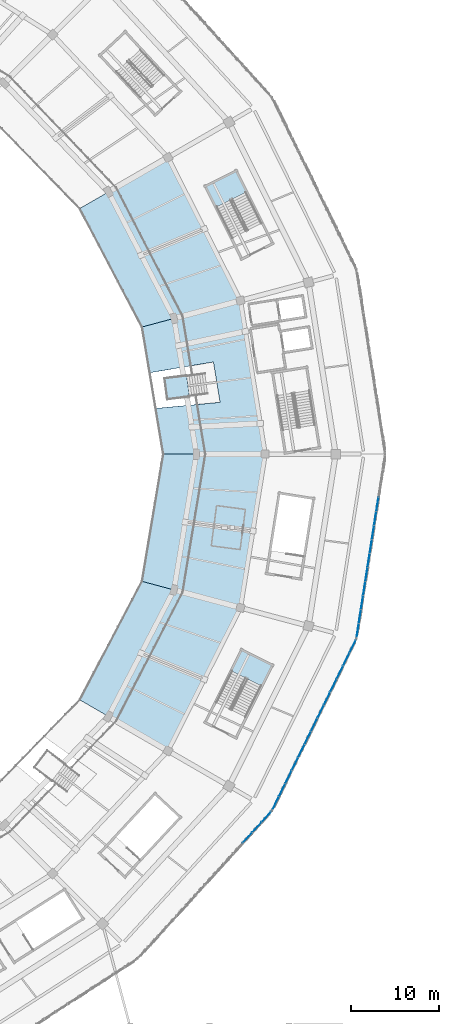
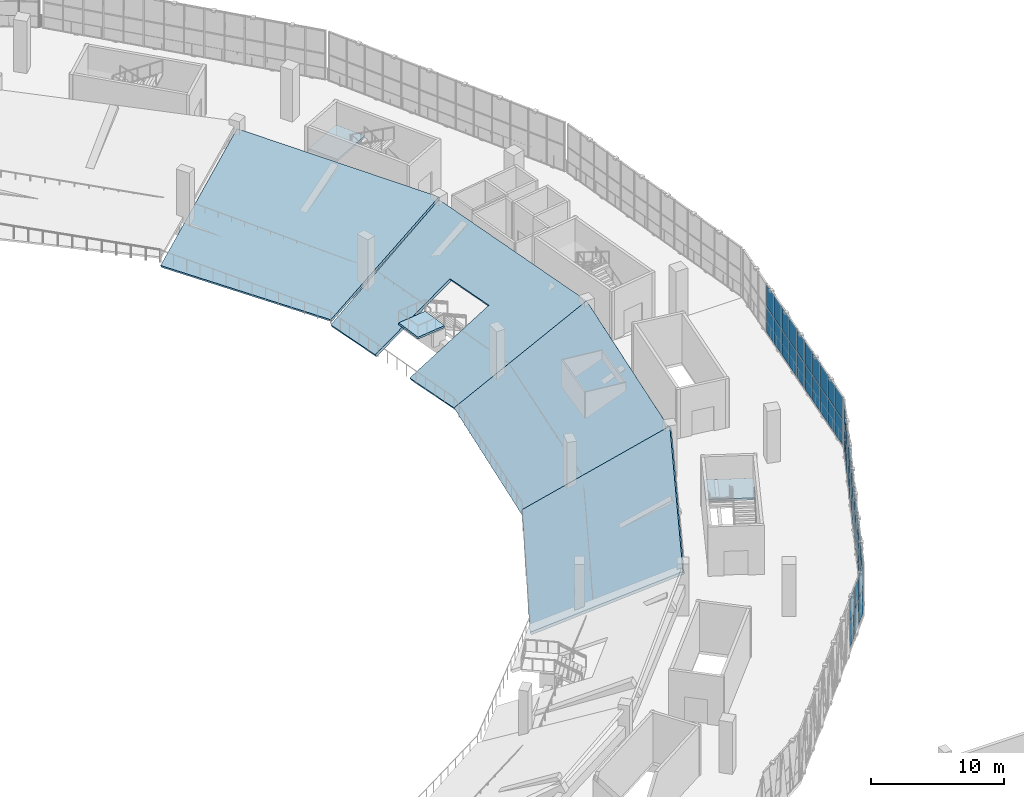
# One storey, part 80 of 152: 52 plates, 7 slabs, 6 elements without a shape of their own.
"""IFC4 building model written with IfcOpenShell, lengths in metres."""

from ifc_helpers import new_model, si_unit, direction, frame, origin, origin_2d, place, context, subcontext, project, spatial, polyline, rectangle, outline, extrude, material, layer, layer_set, type_object, element, aggregate, save


model = new_model("IFC4")

# Units and contexts
model_context = context("Model", 3, precision=1e-05, world=origin(), true_north=direction((0.0, 1.0)))
body_context = subcontext(model_context, "Body", "Model", "MODEL_VIEW")
ifc_project = project(units=[si_unit("LENGTHUNIT", "METRE"), si_unit("AREAUNIT", "SQUARE_METRE"), si_unit("VOLUMEUNIT", "CUBIC_METRE"), si_unit("PLANEANGLEUNIT", "RADIAN"), si_unit("MASSUNIT", "GRAM", prefix="KILO")], contexts=[model_context])

# Site, building, storey
site_placement = place(None, origin())
site = spatial("IfcSite", under=ifc_project, at=site_placement, CompositionType="ELEMENT")
building_placement = place(site_placement, origin())
building = spatial("IfcBuilding", under=site, at=building_placement, Name="Zevraka Park Crest Stadium", CompositionType="ELEMENT")
storey_placement = place(building_placement, frame((0.0, 0.0, 15.0)))
storey = spatial("IfcBuildingStorey", under=building, at=storey_placement, Name="L03", CompositionType="ELEMENT", Elevation=15.0)

# Curtain wall, plates
ifc_material_1 = material(Name="Anodised architectural aluminium and laminated safety glass", Category="aluminium")
curtain_wall_type_1 = type_object("IfcCurtainWallType", Name="CW11", PredefinedType="NOTDEFINED", material=ifc_material_1)
curtain_wall_1_placement = place(storey_placement, origin())
curtain_wall_1 = element("IfcCurtainWall", 1, at=curtain_wall_1_placement, inside=storey, type_object=curtain_wall_type_1, Name="Unitised Ring Curtain Wall CW11 L03-23", PredefinedType="NOTDEFINED")
ifc_material_2 = material(Name="Solar-control laminated double glazing", Category="glass")
ifc_layer_1 = layer(ifc_material_2, 0.028076171875)
ifc_layer_set_1 = layer_set([ifc_layer_1], Name="Solar-control laminated double glazing")
plate_type_1 = type_object("IfcPlateType", Name="CP11", PredefinedType="CURTAIN_PANEL", material=ifc_layer_set_1)
plate_1_placement = place(storey_placement, frame((204.798583984375, 71.998779296875, 0.06494140625), z_axis=(0.0, 0.0, 1.0), x_axis=(0.154127730222, 0.988050931267, 0.0)))
plate_1 = element("IfcPlate", 2, at=plate_1_placement, type_object=plate_type_1, Name="CW11 panel 1.1", PredefinedType="CURTAIN_PANEL", context=body_context, shape_type="SweptSolid", body=[
    extrude(rectangle(XDim=1.512939453125, YDim=0.028076171875, at=origin_2d()), origin(), (0.0, 0.0, 1.0), 2.302490234375),
])
plate_2_placement = place(storey_placement, frame((204.798583984375, 71.998779296875, 2.4326171875), z_axis=(0.0, 0.0, 1.0), x_axis=(0.154127730222, 0.988050931267, 0.0)))
plate_2 = element("IfcPlate", 3, at=plate_2_placement, type_object=plate_type_1, Name="CW11 panel 1.2", PredefinedType="CURTAIN_PANEL", context=body_context, shape_type="SweptSolid", body=[
    extrude(rectangle(XDim=1.512939453125, YDim=0.028076171875, at=origin_2d()), origin(), (0.0, 0.0, 1.0), 2.04248046875),
])
plate_3_placement = place(storey_placement, frame((205.04443359375, 73.573974609375, 0.06494140625), z_axis=(0.0, 0.0, 1.0), x_axis=(0.154127730222, 0.988050931267, 0.0)))
plate_3 = element("IfcPlate", 4, at=plate_3_placement, type_object=plate_type_1, Name="CW11 panel 2.1", PredefinedType="CURTAIN_PANEL", context=body_context, shape_type="SweptSolid", body=[
    extrude(rectangle(XDim=1.545654296875, YDim=0.028076171875, at=origin_2d()), origin(), (0.0, 0.0, 1.0), 2.302490234375),
])
plate_4_placement = place(storey_placement, frame((205.04443359375, 73.573974609375, 2.4326171875), z_axis=(0.0, 0.0, 1.0), x_axis=(0.154127730222, 0.988050931267, 0.0)))
plate_4 = element("IfcPlate", 5, at=plate_4_placement, type_object=plate_type_1, Name="CW11 panel 2.2", PredefinedType="CURTAIN_PANEL", context=body_context, shape_type="SweptSolid", body=[
    extrude(rectangle(XDim=1.545654296875, YDim=0.028076171875, at=origin_2d()), origin(), (0.0, 0.0, 1.0), 2.04248046875),
])
plate_5_placement = place(storey_placement, frame((205.29248046875, 75.165283203125, 0.06494140625), z_axis=(0.0, 0.0, 1.0), x_axis=(0.154127730222, 0.988050931267, 0.0)))
plate_5 = element("IfcPlate", 6, at=plate_5_placement, type_object=plate_type_1, Name="CW11 panel 3.1", PredefinedType="CURTAIN_PANEL", context=body_context, shape_type="SweptSolid", body=[
    extrude(rectangle(XDim=1.545654296875, YDim=0.028076171875, at=origin_2d()), origin(), (0.0, 0.0, 1.0), 2.302490234375),
])
plate_6_placement = place(storey_placement, frame((205.29248046875, 75.165283203125, 2.4326171875), z_axis=(0.0, 0.0, 1.0), x_axis=(0.154127730222, 0.988050931267, 0.0)))
plate_6 = element("IfcPlate", 7, at=plate_6_placement, type_object=plate_type_1, Name="CW11 panel 3.2", PredefinedType="CURTAIN_PANEL", context=body_context, shape_type="SweptSolid", body=[
    extrude(rectangle(XDim=1.545654296875, YDim=0.028076171875, at=origin_2d()), origin(), (0.0, 0.0, 1.0), 2.04248046875),
])
plate_7_placement = place(storey_placement, frame((205.540771484375, 76.756591796875, 0.06494140625), z_axis=(0.0, 0.0, 1.0), x_axis=(0.154127730222, 0.988050931267, 0.0)))
plate_7 = element("IfcPlate", 8, at=plate_7_placement, type_object=plate_type_1, Name="CW11 panel 4.1", PredefinedType="CURTAIN_PANEL", context=body_context, shape_type="SweptSolid", body=[
    extrude(rectangle(XDim=1.545654296875, YDim=0.028076171875, at=origin_2d()), origin(), (0.0, 0.0, 1.0), 2.302490234375),
])
plate_8_placement = place(storey_placement, frame((205.540771484375, 76.756591796875, 2.4326171875), z_axis=(0.0, 0.0, 1.0), x_axis=(0.154127730222, 0.988050931267, 0.0)))
plate_8 = element("IfcPlate", 9, at=plate_8_placement, type_object=plate_type_1, Name="CW11 panel 4.2", PredefinedType="CURTAIN_PANEL", context=body_context, shape_type="SweptSolid", body=[
    extrude(rectangle(XDim=1.545654296875, YDim=0.028076171875, at=origin_2d()), origin(), (0.0, 0.0, 1.0), 2.04248046875),
])
plate_9_placement = place(storey_placement, frame((205.7890625, 78.347900390625, 0.06494140625), z_axis=(0.0, 0.0, 1.0), x_axis=(0.154127730222, 0.988050931267, 0.0)))
plate_9 = element("IfcPlate", 10, at=plate_9_placement, type_object=plate_type_1, Name="CW11 panel 5.1", PredefinedType="CURTAIN_PANEL", context=body_context, shape_type="SweptSolid", body=[
    extrude(rectangle(XDim=1.545654296875, YDim=0.028076171875, at=origin_2d()), origin(), (0.0, 0.0, 1.0), 2.302490234375),
])
plate_10_placement = place(storey_placement, frame((205.7890625, 78.347900390625, 2.4326171875), z_axis=(0.0, 0.0, 1.0), x_axis=(0.154127730222, 0.988050931267, 0.0)))
plate_10 = element("IfcPlate", 11, at=plate_10_placement, type_object=plate_type_1, Name="CW11 panel 5.2", PredefinedType="CURTAIN_PANEL", context=body_context, shape_type="SweptSolid", body=[
    extrude(rectangle(XDim=1.545654296875, YDim=0.028076171875, at=origin_2d()), origin(), (0.0, 0.0, 1.0), 2.04248046875),
])
plate_11_placement = place(storey_placement, frame((206.037353515625, 79.939208984375, 0.06494140625), z_axis=(0.0, 0.0, 1.0), x_axis=(0.154127730222, 0.988050931267, 0.0)))
plate_11 = element("IfcPlate", 12, at=plate_11_placement, type_object=plate_type_1, Name="CW11 panel 6.1", PredefinedType="CURTAIN_PANEL", context=body_context, shape_type="SweptSolid", body=[
    extrude(rectangle(XDim=1.545654296875, YDim=0.028076171875, at=origin_2d()), origin(), (0.0, 0.0, 1.0), 2.302490234375),
])
plate_12_placement = place(storey_placement, frame((206.037353515625, 79.939208984375, 2.4326171875), z_axis=(0.0, 0.0, 1.0), x_axis=(0.154127730222, 0.988050931267, 0.0)))
plate_12 = element("IfcPlate", 13, at=plate_12_placement, type_object=plate_type_1, Name="CW11 panel 6.2", PredefinedType="CURTAIN_PANEL", context=body_context, shape_type="SweptSolid", body=[
    extrude(rectangle(XDim=1.545654296875, YDim=0.028076171875, at=origin_2d()), origin(), (0.0, 0.0, 1.0), 2.04248046875),
])
plate_13_placement = place(storey_placement, frame((206.285400390625, 81.530517578125, 0.06494140625), z_axis=(0.0, 0.0, 1.0), x_axis=(0.154127730222, 0.988050931267, 0.0)))
plate_13 = element("IfcPlate", 14, at=plate_13_placement, type_object=plate_type_1, Name="CW11 panel 7.1", PredefinedType="CURTAIN_PANEL", context=body_context, shape_type="SweptSolid", body=[
    extrude(rectangle(XDim=1.545654296875, YDim=0.028076171875, at=origin_2d()), origin(), (0.0, 0.0, 1.0), 2.302490234375),
])
plate_14_placement = place(storey_placement, frame((206.285400390625, 81.530517578125, 2.4326171875), z_axis=(0.0, 0.0, 1.0), x_axis=(0.154127730222, 0.988050931267, 0.0)))
plate_14 = element("IfcPlate", 15, at=plate_14_placement, type_object=plate_type_1, Name="CW11 panel 7.2", PredefinedType="CURTAIN_PANEL", context=body_context, shape_type="SweptSolid", body=[
    extrude(rectangle(XDim=1.545654296875, YDim=0.028076171875, at=origin_2d()), origin(), (0.0, 0.0, 1.0), 2.04248046875),
])
plate_15_placement = place(storey_placement, frame((206.53369140625, 83.121826171875, 0.06494140625), z_axis=(0.0, 0.0, 1.0), x_axis=(0.154127730222, 0.988050931267, 0.0)))
plate_15 = element("IfcPlate", 16, at=plate_15_placement, type_object=plate_type_1, Name="CW11 panel 8.1", PredefinedType="CURTAIN_PANEL", context=body_context, shape_type="SweptSolid", body=[
    extrude(rectangle(XDim=1.545654296875, YDim=0.028076171875, at=origin_2d()), origin(), (0.0, 0.0, 1.0), 2.302490234375),
])
plate_16_placement = place(storey_placement, frame((206.53369140625, 83.121826171875, 2.4326171875), z_axis=(0.0, 0.0, 1.0), x_axis=(0.154127730222, 0.988050931267, 0.0)))
plate_16 = element("IfcPlate", 17, at=plate_16_placement, type_object=plate_type_1, Name="CW11 panel 8.2", PredefinedType="CURTAIN_PANEL", context=body_context, shape_type="SweptSolid", body=[
    extrude(rectangle(XDim=1.545654296875, YDim=0.028076171875, at=origin_2d()), origin(), (0.0, 0.0, 1.0), 2.04248046875),
])
plate_17_placement = place(storey_placement, frame((206.781982421875, 84.713134765625, 0.06494140625), z_axis=(0.0, 0.0, 1.0), x_axis=(0.154127730222, 0.988050931267, 0.0)))
plate_17 = element("IfcPlate", 18, at=plate_17_placement, type_object=plate_type_1, Name="CW11 panel 9.1", PredefinedType="CURTAIN_PANEL", context=body_context, shape_type="SweptSolid", body=[
    extrude(rectangle(XDim=1.545654296875, YDim=0.028076171875, at=origin_2d()), origin(), (0.0, 0.0, 1.0), 2.302490234375),
])
plate_18_placement = place(storey_placement, frame((206.781982421875, 84.713134765625, 2.4326171875), z_axis=(0.0, 0.0, 1.0), x_axis=(0.154127730222, 0.988050931267, 0.0)))
plate_18 = element("IfcPlate", 19, at=plate_18_placement, type_object=plate_type_1, Name="CW11 panel 9.2", PredefinedType="CURTAIN_PANEL", context=body_context, shape_type="SweptSolid", body=[
    extrude(rectangle(XDim=1.545654296875, YDim=0.028076171875, at=origin_2d()), origin(), (0.0, 0.0, 1.0), 2.04248046875),
])
plate_19_placement = place(storey_placement, frame((207.0302734375, 86.304443359375, 0.06494140625), z_axis=(0.0, 0.0, 1.0), x_axis=(0.154127730222, 0.988050931267, 0.0)))
plate_19 = element("IfcPlate", 20, at=plate_19_placement, type_object=plate_type_1, Name="CW11 panel 10.1", PredefinedType="CURTAIN_PANEL", context=body_context, shape_type="SweptSolid", body=[
    extrude(rectangle(XDim=1.545654296875, YDim=0.028076171875, at=origin_2d()), origin(), (0.0, 0.0, 1.0), 2.302490234375),
])
plate_20_placement = place(storey_placement, frame((207.0302734375, 86.304443359375, 2.4326171875), z_axis=(0.0, 0.0, 1.0), x_axis=(0.154127730222, 0.988050931267, 0.0)))
plate_20 = element("IfcPlate", 21, at=plate_20_placement, type_object=plate_type_1, Name="CW11 panel 10.2", PredefinedType="CURTAIN_PANEL", context=body_context, shape_type="SweptSolid", body=[
    extrude(rectangle(XDim=1.545654296875, YDim=0.028076171875, at=origin_2d()), origin(), (0.0, 0.0, 1.0), 2.04248046875),
])
aggregate(curtain_wall_1, [plate_1, plate_2, plate_3, plate_4, plate_5, plate_6, plate_7, plate_8, plate_9, plate_10, plate_11, plate_12, plate_13, plate_14, plate_15, plate_16, plate_17, plate_18, plate_19, plate_20])

ifc_material_3 = material(Name="Anodised architectural aluminium and laminated safety glass", Category="aluminium")
curtain_wall_type_2 = type_object("IfcCurtainWallType", Name="CW12", PredefinedType="NOTDEFINED", material=ifc_material_3)
curtain_wall_2_placement = place(storey_placement, origin())
curtain_wall_2 = element("IfcCurtainWall", 22, at=curtain_wall_2_placement, inside=storey, type_object=curtain_wall_type_2, Name="Unitised Ring Curtain Wall CW12 L03-22", PredefinedType="NOTDEFINED")
ifc_material_4 = material(Name="Solar-control laminated double glazing", Category="glass")
ifc_layer_2 = layer(ifc_material_4, 0.028076171875)
ifc_layer_set_2 = layer_set([ifc_layer_2], Name="Solar-control laminated double glazing")
plate_type_2 = type_object("IfcPlateType", Name="CP12", PredefinedType="CURTAIN_PANEL", material=ifc_layer_set_2)
plate_21_placement = place(storey_placement, frame((195.499755859375, 52.41845703125, 0.070068359375), z_axis=(0.0, 0.0, 1.0), x_axis=(0.440666370912, 0.897670958396, 0.0)))
plate_21 = element("IfcPlate", 23, at=plate_21_placement, type_object=plate_type_2, Name="CW12 panel 1.1", PredefinedType="CURTAIN_PANEL", context=body_context, shape_type="SweptSolid", body=[
    extrude(rectangle(XDim=1.547607421875, YDim=0.028076171875, at=origin_2d()), origin(), (0.0, 0.0, 1.0), 2.294921875),
])
plate_22_placement = place(storey_placement, frame((195.499755859375, 52.41845703125, 2.43505859375), z_axis=(0.0, 0.0, 1.0), x_axis=(0.440666370912, 0.897670958396, 0.0)))
plate_22 = element("IfcPlate", 24, at=plate_22_placement, type_object=plate_type_2, Name="CW12 panel 1.2", PredefinedType="CURTAIN_PANEL", context=body_context, shape_type="SweptSolid", body=[
    extrude(rectangle(XDim=1.547607421875, YDim=0.028076171875, at=origin_2d()), origin(), (0.0, 0.0, 1.0), 2.034912109375),
])
plate_23_placement = place(storey_placement, frame((196.220458984375, 53.88623046875, 0.070068359375), z_axis=(0.0, 0.0, 1.0), x_axis=(0.440666370912, 0.897670958396, 0.0)))
plate_23 = element("IfcPlate", 25, at=plate_23_placement, type_object=plate_type_2, Name="CW12 panel 2.1", PredefinedType="CURTAIN_PANEL", context=body_context, shape_type="SweptSolid", body=[
    extrude(rectangle(XDim=1.58251953125, YDim=0.028076171875, at=origin_2d()), origin(), (0.0, 0.0, 1.0), 2.294921875),
])
plate_24_placement = place(storey_placement, frame((196.220458984375, 53.88623046875, 2.43505859375), z_axis=(0.0, 0.0, 1.0), x_axis=(0.440666370912, 0.897670958396, 0.0)))
plate_24 = element("IfcPlate", 26, at=plate_24_placement, type_object=plate_type_2, Name="CW12 panel 2.2", PredefinedType="CURTAIN_PANEL", context=body_context, shape_type="SweptSolid", body=[
    extrude(rectangle(XDim=1.58251953125, YDim=0.028076171875, at=origin_2d()), origin(), (0.0, 0.0, 1.0), 2.034912109375),
])
plate_25_placement = place(storey_placement, frame((196.948486328125, 55.36962890625, 0.070068359375), z_axis=(0.0, 0.0, 1.0), x_axis=(0.440666370912, 0.897670958396, 0.0)))
plate_25 = element("IfcPlate", 27, at=plate_25_placement, type_object=plate_type_2, Name="CW12 panel 3.1", PredefinedType="CURTAIN_PANEL", context=body_context, shape_type="SweptSolid", body=[
    extrude(rectangle(XDim=1.58251953125, YDim=0.028076171875, at=origin_2d()), origin(), (0.0, 0.0, 1.0), 2.294921875),
])
plate_26_placement = place(storey_placement, frame((196.948486328125, 55.36962890625, 2.43505859375), z_axis=(0.0, 0.0, 1.0), x_axis=(0.440666370912, 0.897670958396, 0.0)))
plate_26 = element("IfcPlate", 28, at=plate_26_placement, type_object=plate_type_2, Name="CW12 panel 3.2", PredefinedType="CURTAIN_PANEL", context=body_context, shape_type="SweptSolid", body=[
    extrude(rectangle(XDim=1.58251953125, YDim=0.028076171875, at=origin_2d()), origin(), (0.0, 0.0, 1.0), 2.034912109375),
])
plate_27_placement = place(storey_placement, frame((197.6767578125, 56.85302734375, 0.070068359375), z_axis=(0.0, 0.0, 1.0), x_axis=(0.440666370912, 0.897670958396, 0.0)))
plate_27 = element("IfcPlate", 29, at=plate_27_placement, type_object=plate_type_2, Name="CW12 panel 4.1", PredefinedType="CURTAIN_PANEL", context=body_context, shape_type="SweptSolid", body=[
    extrude(rectangle(XDim=1.58251953125, YDim=0.028076171875, at=origin_2d()), origin(), (0.0, 0.0, 1.0), 2.294921875),
])
plate_28_placement = place(storey_placement, frame((197.6767578125, 56.85302734375, 2.43505859375), z_axis=(0.0, 0.0, 1.0), x_axis=(0.440666370912, 0.897670958396, 0.0)))
plate_28 = element("IfcPlate", 30, at=plate_28_placement, type_object=plate_type_2, Name="CW12 panel 4.2", PredefinedType="CURTAIN_PANEL", context=body_context, shape_type="SweptSolid", body=[
    extrude(rectangle(XDim=1.58251953125, YDim=0.028076171875, at=origin_2d()), origin(), (0.0, 0.0, 1.0), 2.034912109375),
])
plate_29_placement = place(storey_placement, frame((198.405029296875, 58.336669921875, 0.070068359375), z_axis=(0.0, 0.0, 1.0), x_axis=(0.440666370912, 0.897670958396, 0.0)))
plate_29 = element("IfcPlate", 31, at=plate_29_placement, type_object=plate_type_2, Name="CW12 panel 5.1", PredefinedType="CURTAIN_PANEL", context=body_context, shape_type="SweptSolid", body=[
    extrude(rectangle(XDim=1.58251953125, YDim=0.028076171875, at=origin_2d()), origin(), (0.0, 0.0, 1.0), 2.294921875),
])
plate_30_placement = place(storey_placement, frame((198.405029296875, 58.336669921875, 2.43505859375), z_axis=(0.0, 0.0, 1.0), x_axis=(0.440666370912, 0.897670958396, 0.0)))
plate_30 = element("IfcPlate", 32, at=plate_30_placement, type_object=plate_type_2, Name="CW12 panel 5.2", PredefinedType="CURTAIN_PANEL", context=body_context, shape_type="SweptSolid", body=[
    extrude(rectangle(XDim=1.58251953125, YDim=0.028076171875, at=origin_2d()), origin(), (0.0, 0.0, 1.0), 2.034912109375),
])
plate_31_placement = place(storey_placement, frame((199.13330078125, 59.820068359375, 0.070068359375), z_axis=(0.0, 0.0, 1.0), x_axis=(0.440666370912, 0.897670958396, 0.0)))
plate_31 = element("IfcPlate", 33, at=plate_31_placement, type_object=plate_type_2, Name="CW12 panel 6.1", PredefinedType="CURTAIN_PANEL", context=body_context, shape_type="SweptSolid", body=[
    extrude(rectangle(XDim=1.58251953125, YDim=0.028076171875, at=origin_2d()), origin(), (0.0, 0.0, 1.0), 2.294921875),
])
plate_32_placement = place(storey_placement, frame((199.13330078125, 59.820068359375, 2.43505859375), z_axis=(0.0, 0.0, 1.0), x_axis=(0.440666370912, 0.897670958396, 0.0)))
plate_32 = element("IfcPlate", 34, at=plate_32_placement, type_object=plate_type_2, Name="CW12 panel 6.2", PredefinedType="CURTAIN_PANEL", context=body_context, shape_type="SweptSolid", body=[
    extrude(rectangle(XDim=1.58251953125, YDim=0.028076171875, at=origin_2d()), origin(), (0.0, 0.0, 1.0), 2.034912109375),
])
plate_33_placement = place(storey_placement, frame((199.861572265625, 61.303466796875, 0.070068359375), z_axis=(0.0, 0.0, 1.0), x_axis=(0.440666370912, 0.897670958396, 0.0)))
plate_33 = element("IfcPlate", 35, at=plate_33_placement, type_object=plate_type_2, Name="CW12 panel 7.1", PredefinedType="CURTAIN_PANEL", context=body_context, shape_type="SweptSolid", body=[
    extrude(rectangle(XDim=1.58251953125, YDim=0.028076171875, at=origin_2d()), origin(), (0.0, 0.0, 1.0), 2.294921875),
])
plate_34_placement = place(storey_placement, frame((199.861572265625, 61.303466796875, 2.43505859375), z_axis=(0.0, 0.0, 1.0), x_axis=(0.440666370912, 0.897670958396, 0.0)))
plate_34 = element("IfcPlate", 36, at=plate_34_placement, type_object=plate_type_2, Name="CW12 panel 7.2", PredefinedType="CURTAIN_PANEL", context=body_context, shape_type="SweptSolid", body=[
    extrude(rectangle(XDim=1.58251953125, YDim=0.028076171875, at=origin_2d()), origin(), (0.0, 0.0, 1.0), 2.034912109375),
])
plate_35_placement = place(storey_placement, frame((200.58984375, 62.786865234375, 0.070068359375), z_axis=(0.0, 0.0, 1.0), x_axis=(0.440666370912, 0.897670958396, 0.0)))
plate_35 = element("IfcPlate", 37, at=plate_35_placement, type_object=plate_type_2, Name="CW12 panel 8.1", PredefinedType="CURTAIN_PANEL", context=body_context, shape_type="SweptSolid", body=[
    extrude(rectangle(XDim=1.58251953125, YDim=0.028076171875, at=origin_2d()), origin(), (0.0, 0.0, 1.0), 2.294921875),
])
plate_36_placement = place(storey_placement, frame((200.58984375, 62.786865234375, 2.43505859375), z_axis=(0.0, 0.0, 1.0), x_axis=(0.440666370912, 0.897670958396, 0.0)))
plate_36 = element("IfcPlate", 38, at=plate_36_placement, type_object=plate_type_2, Name="CW12 panel 8.2", PredefinedType="CURTAIN_PANEL", context=body_context, shape_type="SweptSolid", body=[
    extrude(rectangle(XDim=1.58251953125, YDim=0.028076171875, at=origin_2d()), origin(), (0.0, 0.0, 1.0), 2.034912109375),
])
plate_37_placement = place(storey_placement, frame((201.31787109375, 64.2705078125, 0.070068359375), z_axis=(0.0, 0.0, 1.0), x_axis=(0.440666370912, 0.897670958396, 0.0)))
plate_37 = element("IfcPlate", 39, at=plate_37_placement, type_object=plate_type_2, Name="CW12 panel 9.1", PredefinedType="CURTAIN_PANEL", context=body_context, shape_type="SweptSolid", body=[
    extrude(rectangle(XDim=1.58251953125, YDim=0.028076171875, at=origin_2d()), origin(), (0.0, 0.0, 1.0), 2.294921875),
])
plate_38_placement = place(storey_placement, frame((201.31787109375, 64.2705078125, 2.43505859375), z_axis=(0.0, 0.0, 1.0), x_axis=(0.440666370912, 0.897670958396, 0.0)))
plate_38 = element("IfcPlate", 40, at=plate_38_placement, type_object=plate_type_2, Name="CW12 panel 9.2", PredefinedType="CURTAIN_PANEL", context=body_context, shape_type="SweptSolid", body=[
    extrude(rectangle(XDim=1.58251953125, YDim=0.028076171875, at=origin_2d()), origin(), (0.0, 0.0, 1.0), 2.034912109375),
])
plate_39_placement = place(storey_placement, frame((202.046142578125, 65.75390625, 0.070068359375), z_axis=(0.0, 0.0, 1.0), x_axis=(0.440666370912, 0.897670958396, 0.0)))
plate_39 = element("IfcPlate", 41, at=plate_39_placement, type_object=plate_type_2, Name="CW12 panel 10.1", PredefinedType="CURTAIN_PANEL", context=body_context, shape_type="SweptSolid", body=[
    extrude(rectangle(XDim=1.58251953125, YDim=0.028076171875, at=origin_2d()), origin(), (0.0, 0.0, 1.0), 2.294921875),
])
plate_40_placement = place(storey_placement, frame((202.046142578125, 65.75390625, 2.43505859375), z_axis=(0.0, 0.0, 1.0), x_axis=(0.440666370912, 0.897670958396, 0.0)))
plate_40 = element("IfcPlate", 42, at=plate_40_placement, type_object=plate_type_2, Name="CW12 panel 10.2", PredefinedType="CURTAIN_PANEL", context=body_context, shape_type="SweptSolid", body=[
    extrude(rectangle(XDim=1.58251953125, YDim=0.028076171875, at=origin_2d()), origin(), (0.0, 0.0, 1.0), 2.034912109375),
])
plate_41_placement = place(storey_placement, frame((202.7744140625, 67.2373046875, 0.070068359375), z_axis=(0.0, 0.0, 1.0), x_axis=(0.440666370912, 0.897670958396, 0.0)))
plate_41 = element("IfcPlate", 43, at=plate_41_placement, type_object=plate_type_2, Name="CW12 panel 11.1", PredefinedType="CURTAIN_PANEL", context=body_context, shape_type="SweptSolid", body=[
    extrude(rectangle(XDim=1.58251953125, YDim=0.028076171875, at=origin_2d()), origin(), (0.0, 0.0, 1.0), 2.294921875),
])
plate_42_placement = place(storey_placement, frame((202.7744140625, 67.2373046875, 2.43505859375), z_axis=(0.0, 0.0, 1.0), x_axis=(0.440666370912, 0.897670958396, 0.0)))
plate_42 = element("IfcPlate", 44, at=plate_42_placement, type_object=plate_type_2, Name="CW12 panel 11.2", PredefinedType="CURTAIN_PANEL", context=body_context, shape_type="SweptSolid", body=[
    extrude(rectangle(XDim=1.58251953125, YDim=0.028076171875, at=origin_2d()), origin(), (0.0, 0.0, 1.0), 2.034912109375),
])
plate_43_placement = place(storey_placement, frame((203.502685546875, 68.720703125, 0.070068359375), z_axis=(0.0, 0.0, 1.0), x_axis=(0.440666370912, 0.897670958396, 0.0)))
plate_43 = element("IfcPlate", 45, at=plate_43_placement, type_object=plate_type_2, Name="CW12 panel 12.1", PredefinedType="CURTAIN_PANEL", context=body_context, shape_type="SweptSolid", body=[
    extrude(rectangle(XDim=1.58251953125, YDim=0.028076171875, at=origin_2d()), origin(), (0.0, 0.0, 1.0), 2.294921875),
])
plate_44_placement = place(storey_placement, frame((203.502685546875, 68.720703125, 2.43505859375), z_axis=(0.0, 0.0, 1.0), x_axis=(0.440666370912, 0.897670958396, 0.0)))
plate_44 = element("IfcPlate", 46, at=plate_44_placement, type_object=plate_type_2, Name="CW12 panel 12.2", PredefinedType="CURTAIN_PANEL", context=body_context, shape_type="SweptSolid", body=[
    extrude(rectangle(XDim=1.58251953125, YDim=0.028076171875, at=origin_2d()), origin(), (0.0, 0.0, 1.0), 2.034912109375),
])
plate_45_placement = place(storey_placement, frame((204.22314453125, 70.1884765625, 0.070068359375), z_axis=(0.0, 0.0, 1.0), x_axis=(0.440666370912, 0.897670958396, 0.0)))
plate_45 = element("IfcPlate", 47, at=plate_45_placement, type_object=plate_type_2, Name="CW12 panel 13.1", PredefinedType="CURTAIN_PANEL", context=body_context, shape_type="SweptSolid", body=[
    extrude(rectangle(XDim=1.547607421875, YDim=0.028076171875, at=origin_2d()), origin(), (0.0, 0.0, 1.0), 2.294921875),
])
plate_46_placement = place(storey_placement, frame((204.22314453125, 70.1884765625, 2.43505859375), z_axis=(0.0, 0.0, 1.0), x_axis=(0.440666370912, 0.897670958396, 0.0)))
plate_46 = element("IfcPlate", 48, at=plate_46_placement, type_object=plate_type_2, Name="CW12 panel 13.2", PredefinedType="CURTAIN_PANEL", context=body_context, shape_type="SweptSolid", body=[
    extrude(rectangle(XDim=1.547607421875, YDim=0.028076171875, at=origin_2d()), origin(), (0.0, 0.0, 1.0), 2.034912109375),
])
aggregate(curtain_wall_2, [plate_21, plate_22, plate_23, plate_24, plate_25, plate_26, plate_27, plate_28, plate_29, plate_30, plate_31, plate_32, plate_33, plate_34, plate_35, plate_36, plate_37, plate_38, plate_39, plate_40, plate_41, plate_42, plate_43, plate_44, plate_45, plate_46])

ifc_material_5 = material(Name="Anodised architectural aluminium and laminated safety glass", Category="aluminium")
curtain_wall_type_3 = type_object("IfcCurtainWallType", Name="CW13", PredefinedType="NOTDEFINED", material=ifc_material_5)
curtain_wall_3_placement = place(storey_placement, origin())
curtain_wall_3 = element("IfcCurtainWall", 49, at=curtain_wall_3_placement, inside=storey, type_object=curtain_wall_type_3, Name="Unitised Ring Curtain Wall CW13 L03-21", PredefinedType="NOTDEFINED")
ifc_material_6 = material(Name="Solar-control laminated double glazing", Category="glass")
ifc_layer_3 = layer(ifc_material_6, 0.031982421875)
ifc_layer_set_3 = layer_set([ifc_layer_3], Name="Solar-control laminated double glazing")
plate_type_3 = type_object("IfcPlateType", Name="CP13", PredefinedType="CURTAIN_PANEL", material=ifc_layer_set_3)
plate_47_placement = place(storey_placement, frame((192.294189453125, 48.4912109375, 0.06005859375), z_axis=(0.0, 0.0, 1.0), x_axis=(0.672801685845, 0.739822878481, 0.0)))
plate_47 = element("IfcPlate", 50, at=plate_47_placement, type_object=plate_type_3, Name="CW13 panel 12.1", PredefinedType="CURTAIN_PANEL", context=body_context, shape_type="SweptSolid", body=[
    extrude(rectangle(XDim=1.539794921875, YDim=0.031982421875, at=origin_2d()), origin(), (0.0, 0.0, 1.0), 2.31005859375),
])
plate_48_placement = place(storey_placement, frame((192.294189453125, 48.4912109375, 2.43017578125), z_axis=(0.0, 0.0, 1.0), x_axis=(0.672801685845, 0.739822878481, 0.0)))
plate_48 = element("IfcPlate", 51, at=plate_48_placement, type_object=plate_type_3, Name="CW13 panel 12.2", PredefinedType="CURTAIN_PANEL", context=body_context, shape_type="SweptSolid", body=[
    extrude(rectangle(XDim=1.539794921875, YDim=0.031982421875, at=origin_2d()), origin(), (0.0, 0.0, 1.0), 2.050048828125),
])
plate_49_placement = place(storey_placement, frame((193.37060546875, 49.6748046875, 0.06005859375), z_axis=(0.0, 0.0, 1.0), x_axis=(0.672801685845, 0.739822878481, 0.0)))
plate_49 = element("IfcPlate", 52, at=plate_49_placement, type_object=plate_type_3, Name="CW13 panel 13.1", PredefinedType="CURTAIN_PANEL", context=body_context, shape_type="SweptSolid", body=[
    extrude(rectangle(XDim=1.539794921875, YDim=0.031982421875, at=origin_2d()), origin(), (0.0, 0.0, 1.0), 2.31005859375),
])
plate_50_placement = place(storey_placement, frame((193.37060546875, 49.6748046875, 2.43017578125), z_axis=(0.0, 0.0, 1.0), x_axis=(0.672801685845, 0.739822878481, 0.0)))
plate_50 = element("IfcPlate", 53, at=plate_50_placement, type_object=plate_type_3, Name="CW13 panel 13.2", PredefinedType="CURTAIN_PANEL", context=body_context, shape_type="SweptSolid", body=[
    extrude(rectangle(XDim=1.539794921875, YDim=0.031982421875, at=origin_2d()), origin(), (0.0, 0.0, 1.0), 2.050048828125),
])
plate_51_placement = place(storey_placement, frame((194.436767578125, 50.84716796875, 0.06005859375), z_axis=(0.0, 0.0, 1.0), x_axis=(0.672801685845, 0.739822878481, 0.0)))
plate_51 = element("IfcPlate", 54, at=plate_51_placement, type_object=plate_type_3, Name="CW13 panel 14.1", PredefinedType="CURTAIN_PANEL", context=body_context, shape_type="SweptSolid", body=[
    extrude(rectangle(XDim=1.509765625, YDim=0.031982421875, at=origin_2d()), origin(), (0.0, 0.0, 1.0), 2.31005859375),
])
plate_52_placement = place(storey_placement, frame((194.436767578125, 50.84716796875, 2.43017578125), z_axis=(0.0, 0.0, 1.0), x_axis=(0.672801685845, 0.739822878481, 0.0)))
plate_52 = element("IfcPlate", 55, at=plate_52_placement, type_object=plate_type_3, Name="CW13 panel 14.2", PredefinedType="CURTAIN_PANEL", context=body_context, shape_type="SweptSolid", body=[
    extrude(rectangle(XDim=1.509765625, YDim=0.031982421875, at=origin_2d()), origin(), (0.0, 0.0, 1.0), 2.050048828125),
])
aggregate(curtain_wall_3, [plate_47, plate_48, plate_49, plate_50, plate_51, plate_52])

# Stair, slab
ifc_material_7 = material(Name="Concrete C35/45", Category="concrete")
stair_type_1 = type_object("IfcStairType", Name="STA2", PredefinedType="HALF_TURN_STAIR", material=ifc_material_7)
stair_1_placement = place(storey_placement, origin())
stair_1 = element("IfcStair", 56, at=stair_1_placement, inside=storey, type_object=stair_type_1, Name="L03 Protected Concourse Exit Stair ST02", PredefinedType="HALF_TURN_STAIR")
ifc_material_8 = material(Name="Concrete C35/45", Category="concrete")
ifc_layer_4 = layer(ifc_material_8, 0.199951171875)
ifc_layer_set_4 = layer_set([ifc_layer_4], Name="Concrete C35/45")
slab_type_1 = type_object("IfcSlabType", Name="LS01", PredefinedType="LANDING", material=ifc_layer_set_4)
slab_1_placement = place(storey_placement, frame((0.0, 0.0, 2.199951171875)))
slab_1 = element("IfcSlab", 57, at=slab_1_placement, type_object=slab_type_1, Name="ST02 landing 1", PredefinedType="LANDING", context=body_context, shape_type="SweptSolid", body=[
    extrude(outline(polyline([(192.146484375, 121.719970703125), (190.977294921875, 124.053466796875), (187.61572265625, 122.369140625), (188.78466796875, 120.03564453125), (192.146484375, 121.719970703125)])), origin(), (0.0, 0.0, 1.0), 0.199951171875),
])
aggregate(stair_1, [slab_1])

stair_2_placement = place(storey_placement, origin())
stair_2 = element("IfcStair", 58, at=stair_2_placement, inside=storey, type_object=stair_type_1, Name="L03 Protected Concourse Exit Stair ST23", PredefinedType="HALF_TURN_STAIR")
slab_2_placement = place(storey_placement, frame((0.0, 0.0, 2.199951171875)))
slab_2 = element("IfcSlab", 59, at=slab_2_placement, type_object=slab_type_1, Name="ST23 landing 1", PredefinedType="LANDING", context=body_context, shape_type="SweptSolid", body=[
    extrude(outline(polyline([(193.861572265625, 65.703857421875), (195.030517578125, 68.037353515625), (191.6689453125, 69.721435546875), (190.499755859375, 67.387939453125), (193.861572265625, 65.703857421875)])), origin(), (0.0, 0.0, 1.0), 0.199951171875),
])
aggregate(stair_2, [slab_2])

ifc_material_9 = material(Name="Concrete C35/45", Category="concrete")
stair_type_2 = type_object("IfcStairType", Name="VST1", PredefinedType="STRAIGHT_RUN_STAIR", material=ifc_material_9)
stair_3_placement = place(storey_placement, origin())
stair_3 = element("IfcStair", 60, at=stair_3_placement, inside=storey, type_object=stair_type_2, Name="Vomitory Stair VS-09", PredefinedType="STRAIGHT_RUN_STAIR")
ifc_material_10 = material(Name="Concrete C35/45", Category="concrete")
ifc_layer_5 = layer(ifc_material_10, 0.179931640625)
ifc_layer_set_5 = layer_set([ifc_layer_5], Name="Concrete C35/45")
slab_type_2 = type_object("IfcSlabType", Name="LS02", PredefinedType="LANDING", material=ifc_layer_set_5)
slab_3_placement = place(storey_placement, frame((0.0, 0.0, 1.02001953125)))
slab_3 = element("IfcSlab", 61, at=slab_3_placement, type_object=slab_type_2, Name="VST1 landing 1", PredefinedType="LANDING", context=body_context, shape_type="SweptSolid", body=[
    extrude(outline(polyline([(185.39599609375, 100.931884765625), (182.89306640625, 100.60205078125), (183.2060546875, 98.222900390625), (185.708984375, 98.552001953125), (185.39599609375, 100.931884765625)])), origin(), (0.0, 0.0, 1.0), 0.179931640625),
])
aggregate(stair_3, [slab_3])

# Slabs
ifc_material_11 = material(Name="Concrete C35/45", Category="concrete")
ifc_layer_6 = layer(ifc_material_11, 0.27001953125)
ifc_layer_set_6 = layer_set([ifc_layer_6], Name="Concrete C35/45")
slab_type_3 = type_object("IfcSlabType", Name="STU1", PredefinedType="USERDEFINED", material=ifc_layer_set_6)
slab_4_placement = place(storey_placement, frame((182.75, 92.0, -1.371337890625), z_axis=(-0.449281398181, -0.059162156927, 0.891429225703), x_axis=(-0.164791527161, 0.986171288972, -0.01760515218)))
element("IfcSlab", 62, at=slab_4_placement, inside=storey, type_object=slab_type_3, Name="Upper Tier Cantilevered Raked Seating Slab 00", ObjectType="SEATING TIER", PredefinedType="USERDEFINED", context=body_context, shape_type="SweptSolid", body=[
    extrude(outline(polyline([(0.0, 0.0), (5.266923342227714, 9.020562075079397e-17), (4.677454533402667, -8.205489666844603), (9.314325261247198, -8.226048938563345), (9.364562908244649, -0.0003525462433487253), (14.631245485997518, -0.0003147509184349834), (15.638822859674823, -12.89579206017936), (-2.0058348649987128, -12.777623439966218), (0.0, 0.0)])), origin(), (0.0, 0.0, -1.0), 0.27001953125),
])
slab_5_placement = place(storey_placement, frame((180.339111328125, 106.428955078125, -1.160888671875), z_axis=(-0.406483139503, -0.168376934113, 0.898009279105), x_axis=(-0.464831795428, 0.8842747789, -0.044604006099)))
element("IfcSlab", 63, at=slab_5_placement, inside=storey, type_object=slab_type_3, Name="Upper Tier Cantilevered Raked Seating Slab 01", ObjectType="SEATING TIER", PredefinedType="USERDEFINED", context=body_context, shape_type="SweptSolid", body=[
    extrude(outline(polyline([(0.0, 0.0), (15.205734542556357, 1.1102230246251565e-15), (15.412400224601086, -12.839165582406983), (-2.7924131519174717, -12.534043677307526), (0.0, 0.0)])), origin(), (0.0, 0.0, -1.0), 0.27001953125),
])
slab_6_placement = place(storey_placement, frame((173.27099609375, 64.125, -1.839111328125), z_axis=(-0.406483139503, 0.168376934113, 0.898009279105), x_axis=(0.464831795428, 0.8842747789, 0.044604006099)))
element("IfcSlab", 64, at=slab_6_placement, inside=storey, type_object=slab_type_3, Name="Upper Tier Cantilevered Raked Seating Slab 22", ObjectType="SEATING TIER", PredefinedType="USERDEFINED", context=body_context, shape_type="SweptSolid", body=[
    extrude(outline(polyline([(0.0, 0.0), (15.205734542556357, -1.1102230246251565e-15), (17.99814769447383, -12.534043677307528), (-0.2066656820447274, -12.839165582406984), (0.0, 0.0)])), origin(), (0.0, 0.0, -1.0), 0.27001953125),
])
slab_7_placement = place(storey_placement, frame((180.339111328125, 77.571044921875, -1.628662109375), z_axis=(-0.449281019201, 0.059167962967, 0.891429031356), x_axis=(0.164775237071, 0.98617427679, 0.017590254312)))
element("IfcSlab", 65, at=slab_7_placement, inside=storey, type_object=slab_type_3, Name="Upper Tier Cantilevered Raked Seating Slab 23", ObjectType="SEATING TIER", PredefinedType="USERDEFINED", context=body_context, shape_type="SweptSolid", body=[
    extrude(outline(polyline([(0.0, 0.0), (14.631245489907581, -5.967448757360216e-16), (16.636805478770807, -12.77766658705673), (-1.0078547839082819, -12.895455630996015), (0.0, 0.0)])), origin(), (0.0, 0.0, -1.0), 0.27001953125),
])

save(model, "model.ifc")
